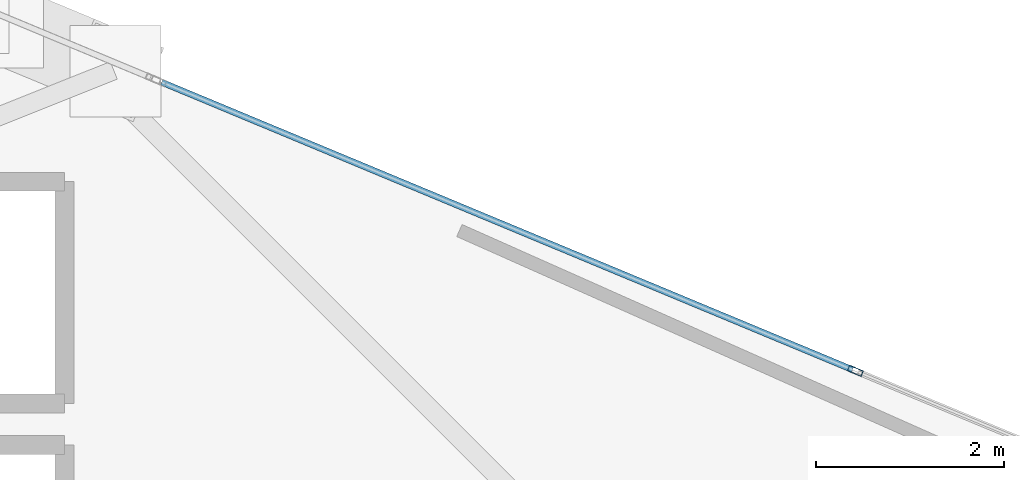
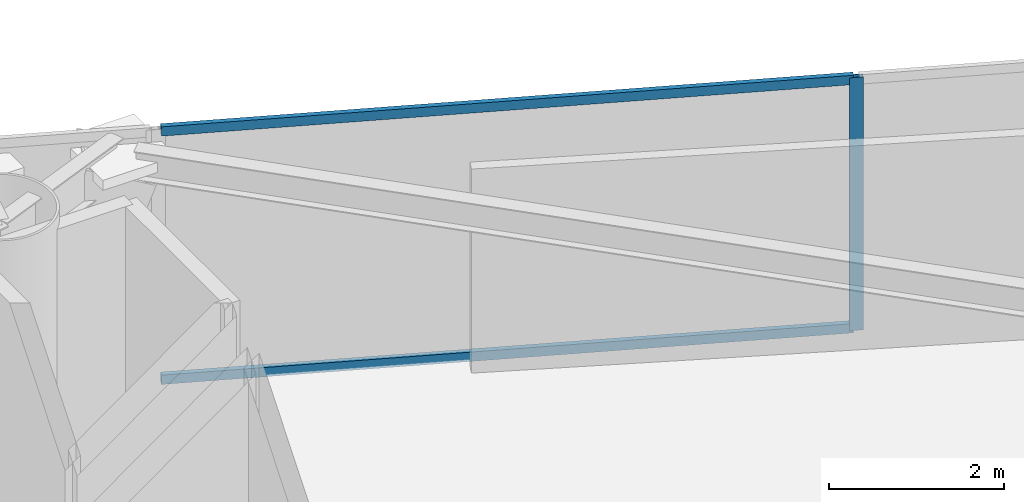
# One storey, part 15 of 23: 3 members, 1 element without a shape of its own.
"""IFC4 building model written with IfcOpenShell, lengths in metres."""

from ifc_helpers import new_model, si_unit, direction, frame, origin, origin_2d, place, context, subcontext, project, spatial, hollow_rectangle, extrude, material, layer, layer_set, material_profile, profile_set, type_object, element, aggregate, save


model = new_model("IFC4")

# Units and contexts
model_context = context("Model", 3, precision=1e-05, world=origin(), true_north=direction((0.0, 1.0)))
body_context = subcontext(model_context, "Body", "Model", "MODEL_VIEW")
ifc_project = project(units=[si_unit("LENGTHUNIT", "METRE"), si_unit("AREAUNIT", "SQUARE_METRE"), si_unit("VOLUMEUNIT", "CUBIC_METRE"), si_unit("PLANEANGLEUNIT", "RADIAN"), si_unit("MASSUNIT", "GRAM", prefix="KILO")], contexts=[model_context])

# Site, building, storey
site_placement = place(None, origin())
site = spatial("IfcSite", under=ifc_project, at=site_placement, CompositionType="ELEMENT")
building_placement = place(site_placement, origin())
building = spatial("IfcBuilding", under=site, at=building_placement, Name="Qianvela Tower", CompositionType="ELEMENT")
storey_placement = place(building_placement, frame((0.0, 0.0, 162.39990234375)))
storey = spatial("IfcBuildingStorey", under=building, at=storey_placement, Name="L41", CompositionType="ELEMENT", Elevation=162.39990234375)

# Curtain wall, members
ifc_material_1 = material(Name="Anodised Architectural Aluminium and Low-E Glass", Category="aluminium")
ifc_layer = layer(ifc_material_1, 0.169921875)
ifc_layer_set = layer_set([ifc_layer], Name="Anodised Architectural Aluminium and Low-E Glass")
curtain_wall_type = type_object("IfcCurtainWallType", Name="CW-COLIV-Z34", PredefinedType="USERDEFINED", material=ifc_layer_set)
curtain_wall_placement = place(storey_placement, origin())
curtain_wall = element("IfcCurtainWall", 1, at=curtain_wall_placement, inside=storey, type_object=curtain_wall_type, Name="L41 CW-COLIV-Z34 Curtain Wall 02A", ObjectType="CURTAIN_WALL_SYSTEM", PredefinedType="USERDEFINED")
ifc_material_2 = material(Name="Anodised Architectural Aluminium 6063-T6", Category="aluminium")
ifc_material_profile_1 = material_profile(ifc_material_2, hollow_rectangle(XDim=0.06494140625, YDim=0.159912109375, WallThickness=0.0048828125, at=origin_2d()), Name="ALU-MULL-65x160")
ifc_profile_set_1 = profile_set([ifc_material_profile_1], Name="Anodised Architectural Aluminium 6063-T6")
member_type_1 = type_object("IfcMemberType", Name="CW-COLIV-Z34-MULL", PredefinedType="MULLION", material=ifc_profile_set_1)
member_1_placement = place(storey_placement, frame((51.961669921875, 33.268798828125, 0.0), z_axis=(0.0, 0.0, 1.0), x_axis=(-0.384185162633, -0.923256064596, 0.0)))
member_1 = element("IfcMember", 2, at=member_1_placement, type_object=member_type_1, Name="CW-4 mullion 2", PredefinedType="MULLION", context=body_context, shape_type="SweptSolid", body=[
    extrude(hollow_rectangle(XDim=0.06494140625, YDim=0.159912109375, WallThickness=0.0048828125, at=origin_2d()), origin(), (0.0, 0.0, 1.0), 3.52001953125),
])
ifc_material_3 = material(Name="Anodised Architectural Aluminium 6063-T6", Category="aluminium")
ifc_material_profile_2 = material_profile(ifc_material_3, hollow_rectangle(XDim=0.06494140625, YDim=0.1298828125, WallThickness=0.00439453125, at=origin_2d()), Name="ALU-TRAN-65x130")
ifc_profile_set_2 = profile_set([ifc_material_profile_2], Name="Anodised Architectural Aluminium 6063-T6")
member_type_2 = type_object("IfcMemberType", Name="CW-COLIV-Z34-TRAN", PredefinedType="USERDEFINED", material=ifc_profile_set_2)
member_2_placement = place(storey_placement, frame((51.931640625, 33.28125, 0.03271484375), z_axis=(-0.923259266566, 0.384177467715, 0.0), x_axis=(-0.384177467715, -0.923259266566, 0.0)))
member_2 = element("IfcMember", 3, at=member_2_placement, type_object=member_type_2, Name="CW-4 transom 2.1", ObjectType="TRANSOM", PredefinedType="USERDEFINED", context=body_context, shape_type="SweptSolid", body=[
    extrude(hollow_rectangle(XDim=0.06494140625, YDim=0.1298828125, WallThickness=0.00439453125, at=origin_2d()), origin(), (0.0, 0.0, 1.0), 7.95751953125),
])
member_3_placement = place(storey_placement, frame((51.931640625, 33.28125, 3.487548828125), z_axis=(-0.923259266566, 0.384177467715, 0.0), x_axis=(-0.384177467715, -0.923259266566, 0.0)))
member_3 = element("IfcMember", 4, at=member_3_placement, type_object=member_type_2, Name="CW-4 transom 2.2", ObjectType="TRANSOM", PredefinedType="USERDEFINED", context=body_context, shape_type="SweptSolid", body=[
    extrude(hollow_rectangle(XDim=0.06494140625, YDim=0.1298828125, WallThickness=0.00439453125, at=origin_2d()), origin(), (0.0, 0.0, 1.0), 7.95751953125),
])
aggregate(curtain_wall, [member_1, member_2, member_3])

save(model, "model.ifc")
